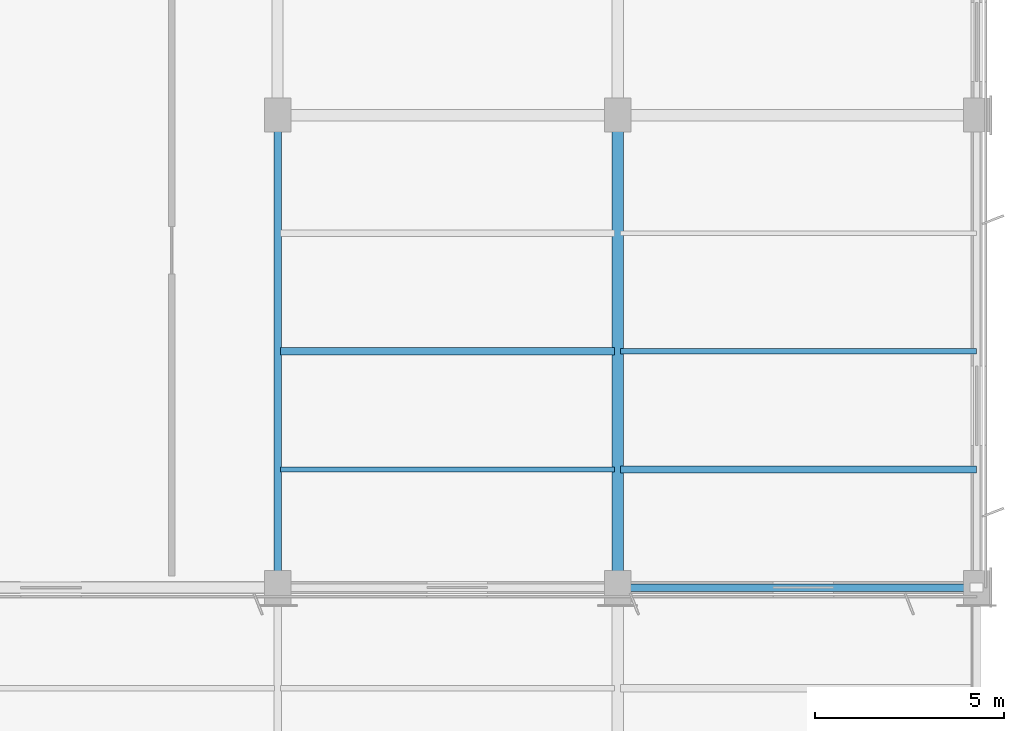
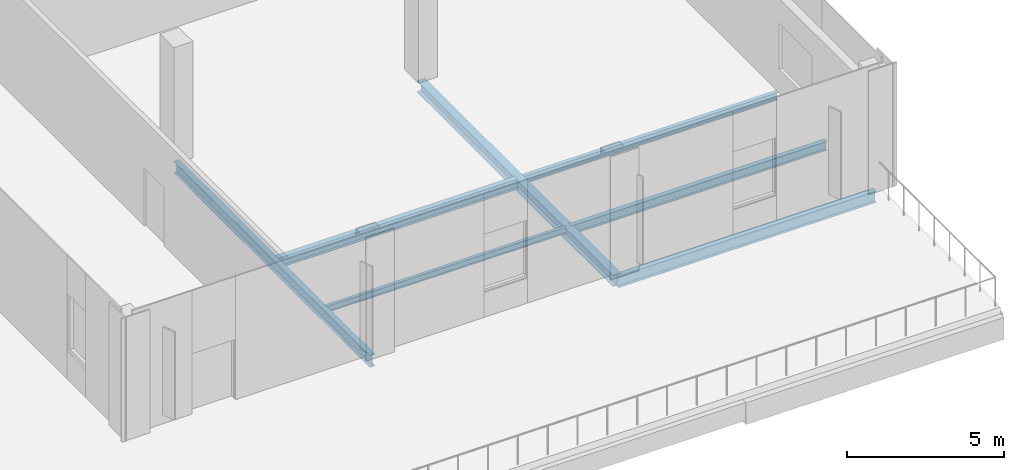
# One storey, part 52 of 86: 7 beams.
"""IFC4 building model written with IfcOpenShell, lengths in metres."""

from ifc_helpers import new_model, si_unit, direction, frame, origin, origin_2d, place, context, subcontext, project, spatial, i_section, extrude, material, material_profile, profile_set, type_object, element, save


model = new_model("IFC4")

# Units and contexts
model_context = context("Model", 3, precision=1e-05, world=origin(), true_north=direction((0.0, 1.0)))
body_context = subcontext(model_context, "Body", "Model", "MODEL_VIEW")
ifc_project = project(units=[si_unit("LENGTHUNIT", "METRE"), si_unit("AREAUNIT", "SQUARE_METRE"), si_unit("VOLUMEUNIT", "CUBIC_METRE"), si_unit("PLANEANGLEUNIT", "RADIAN"), si_unit("MASSUNIT", "GRAM", prefix="KILO")], contexts=[model_context])

# Site, building, storey
site_placement = place(None, origin())
site = spatial("IfcSite", under=ifc_project, at=site_placement, CompositionType="ELEMENT")
building_placement = place(site_placement, origin())
building = spatial("IfcBuilding", under=site, at=building_placement, Name="Solvikara Media Centre", CompositionType="ELEMENT")
storey_placement = place(building_placement, frame((0.0, 0.0, 15.0)))
storey = spatial("IfcBuildingStorey", under=building, at=storey_placement, Name="L03", CompositionType="ELEMENT", Elevation=15.0)

# Beams
ifc_material = material(Name="Steel S355JR", Category="steel")
ifc_material_profile_1 = material_profile(ifc_material, i_section(OverallWidth=0.199951171875, OverallDepth=0.449951171875, WebThickness=0.009033203125, FlangeThickness=0.013916015625, at=origin_2d()), Name="WF 450x200x9x14")
ifc_profile_set_1 = profile_set([ifc_material_profile_1], Name="Steel S355JR")
beam_type_1 = type_object("IfcBeamType", Name="BM-20", PredefinedType="BEAM", material=ifc_profile_set_1)
beam_1_placement = place(storey_placement, frame((154.5, 8.0, -0.4970703125), z_axis=(1.0, 0.0, 0.0), x_axis=(0.0, 1.0, 0.0)))
element("IfcBeam", 1, at=beam_1_placement, inside=storey, type_object=beam_type_1, Name="B-L03-X1166", PredefinedType="BEAM", context=body_context, shape_type="SweptSolid", body=[
    extrude(i_section(OverallWidth=0.199951171875, OverallDepth=0.449951171875, WebThickness=0.009033203125, FlangeThickness=0.013916015625, at=origin_2d()), origin(), (0.0, 0.0, 1.0), 9.5),
])
beam_2_placement = place(storey_placement, frame((145.5, 8.0, -0.467041015625), z_axis=(0.0, 1.0, 0.0), x_axis=(-1.0, 0.0, 0.0)))
element("IfcBeam", 2, at=beam_2_placement, inside=storey, type_object=beam_type_1, Name="B-L03-Y1292", PredefinedType="BEAM", context=body_context, shape_type="SweptSolid", body=[
    extrude(i_section(OverallWidth=0.199951171875, OverallDepth=0.449951171875, WebThickness=0.009033203125, FlangeThickness=0.013916015625, at=origin_2d()), origin(), (0.0, 0.0, 1.0), 12.5),
])
ifc_material_profile_2 = material_profile(ifc_material, i_section(OverallWidth=0.199951171875, OverallDepth=0.39990234375, WebThickness=0.008056640625, FlangeThickness=0.012939453125, at=origin_2d()), Name="WF 400x200x8x13")
ifc_profile_set_2 = profile_set([ifc_material_profile_2], Name="Steel S355JR")
beam_type_2 = type_object("IfcBeamType", Name="BM-21", PredefinedType="JOIST", material=ifc_profile_set_2)
beam_3_placement = place(storey_placement, frame((145.577880859375, 14.25, -0.44189453125), z_axis=(1.0, 0.0, 0.0), x_axis=(0.0, 1.0, 0.0)))
element("IfcBeam", 3, at=beam_3_placement, inside=storey, type_object=beam_type_2, Name="J-L03-1417", PredefinedType="JOIST", context=body_context, shape_type="SweptSolid", body=[
    extrude(i_section(OverallWidth=0.199951171875, OverallDepth=0.39990234375, WebThickness=0.008056640625, FlangeThickness=0.012939453125, at=origin_2d()), origin(), (0.0, 0.0, 1.0), 8.84423828125),
])
ifc_material_profile_3 = material_profile(ifc_material, i_section(OverallWidth=0.175048828125, OverallDepth=0.35009765625, WebThickness=0.007080078125, FlangeThickness=0.010986328125, at=origin_2d()), Name="WF 350x175x7x11")
ifc_profile_set_3 = profile_set([ifc_material_profile_3], Name="Steel S355JR")
beam_type_3 = type_object("IfcBeamType", Name="BM-22", PredefinedType="JOIST", material=ifc_profile_set_3)
beam_4_placement = place(storey_placement, frame((154.577880859375, 11.125, -0.4169921875), z_axis=(1.0, 0.0, 0.0), x_axis=(0.0, 1.0, 0.0)))
element("IfcBeam", 4, at=beam_4_placement, inside=storey, type_object=beam_type_3, Name="J-L03-1426", PredefinedType="JOIST", context=body_context, shape_type="SweptSolid", body=[
    extrude(i_section(OverallWidth=0.175048828125, OverallDepth=0.35009765625, WebThickness=0.007080078125, FlangeThickness=0.010986328125, at=origin_2d()), origin(), (0.0, 0.0, 1.0), 9.422119140625),
])
ifc_material_profile_4 = material_profile(ifc_material, i_section(OverallWidth=0.14990234375, OverallDepth=0.300048828125, WebThickness=0.006591796875, FlangeThickness=0.009033203125, at=origin_2d()), Name="WF 300x150x6.5x9")
ifc_profile_set_4 = profile_set([ifc_material_profile_4], Name="Steel S355JR")
beam_type_4 = type_object("IfcBeamType", Name="BM-23", PredefinedType="JOIST", material=ifc_profile_set_4)
beam_5_placement = place(storey_placement, frame((154.577880859375, 14.25, -0.39208984375), z_axis=(1.0, 0.0, 0.0), x_axis=(0.0, 1.0, 0.0)))
element("IfcBeam", 5, at=beam_5_placement, inside=storey, type_object=beam_type_4, Name="J-L03-1427", PredefinedType="JOIST", context=body_context, shape_type="SweptSolid", body=[
    extrude(i_section(OverallWidth=0.14990234375, OverallDepth=0.300048828125, WebThickness=0.006591796875, FlangeThickness=0.009033203125, at=origin_2d()), origin(), (0.0, 0.0, 1.0), 9.422119140625),
])
ifc_material_profile_5 = material_profile(ifc_material, i_section(OverallWidth=0.300048828125, OverallDepth=0.43994140625, WebThickness=0.010986328125, FlangeThickness=0.01806640625, at=origin_2d()), Name="H 440x300x11x18")
ifc_profile_set_5 = profile_set([ifc_material_profile_5], Name="Steel S355JR")
beam_type_5 = type_object("IfcBeamType", Name="BM-28", PredefinedType="BEAM", material=ifc_profile_set_5)
beam_6_placement = place(storey_placement, frame((154.5, 8.0, -0.4619140625), z_axis=(0.0, 1.0, 0.0), x_axis=(-1.0, 0.0, 0.0)))
element("IfcBeam", 6, at=beam_6_placement, inside=storey, type_object=beam_type_5, Name="B-L03-Y1296", PredefinedType="BEAM", context=body_context, shape_type="SweptSolid", body=[
    extrude(i_section(OverallWidth=0.300048828125, OverallDepth=0.43994140625, WebThickness=0.010986328125, FlangeThickness=0.01806640625, at=origin_2d()), origin(), (0.0, 0.0, 1.0), 12.5),
])
ifc_material_profile_6 = material_profile(ifc_material, i_section(OverallWidth=0.1240234375, OverallDepth=0.248046875, WebThickness=0.0048828125, FlangeThickness=0.008056640625, at=origin_2d()), Name="WF 248x124x5x8")
ifc_profile_set_6 = profile_set([ifc_material_profile_6], Name="Steel S355JR")
beam_type_6 = type_object("IfcBeamType", Name="BM-40", PredefinedType="JOIST", material=ifc_profile_set_6)
beam_7_placement = place(storey_placement, frame((145.577880859375, 11.125, -0.365966796875), z_axis=(1.0, 0.0, 0.0), x_axis=(0.0, 1.0, 0.0)))
element("IfcBeam", 7, at=beam_7_placement, inside=storey, type_object=beam_type_6, Name="J-L03-1416", PredefinedType="JOIST", context=body_context, shape_type="SweptSolid", body=[
    extrude(i_section(OverallWidth=0.1240234375, OverallDepth=0.248046875, WebThickness=0.0048828125, FlangeThickness=0.008056640625, at=origin_2d()), origin(), (0.0, 0.0, 1.0), 8.84423828125),
])

save(model, "model.ifc")
